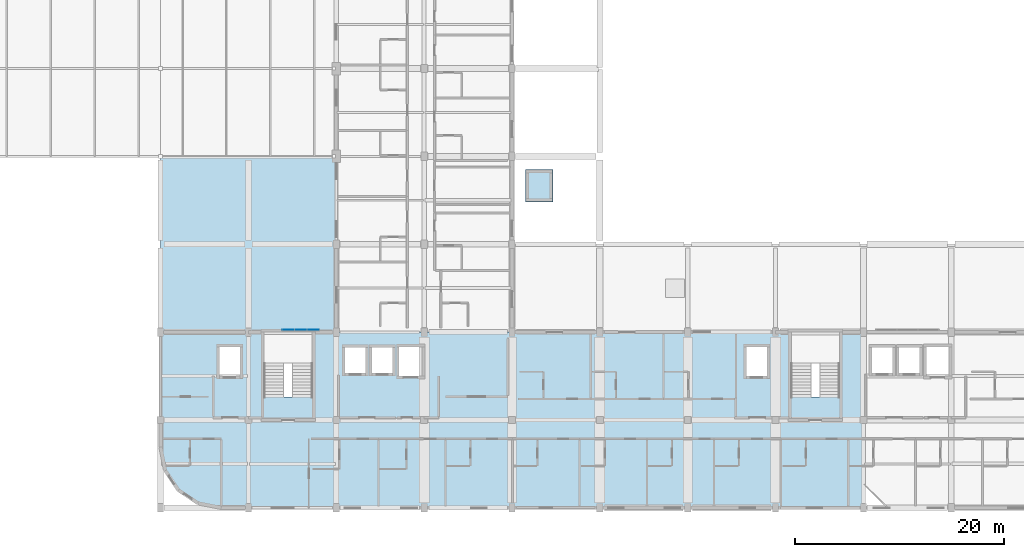
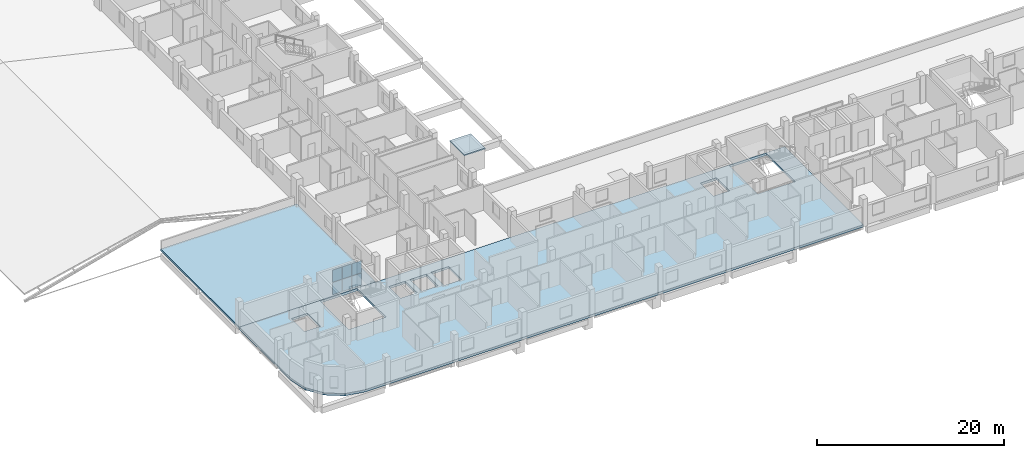
# One storey, part 12 of 42: 6 plates, 3 slabs, 1 element without a shape of its own.
"""IFC4 building model written with IfcOpenShell, lengths in metres."""

from ifc_helpers import new_model, si_unit, derived_unit, direction, frame, origin, origin_2d, place, context, subcontext, project, spatial, polyline, rectangle, outline, extrude, material, layer, layer_set, type_object, element, aggregate, save


model = new_model("IFC4")

# Units and contexts
model_context = context("Model", 3, precision=1e-05, world=origin(), true_north=direction((0.0, 1.0)))
body_context = subcontext(model_context, "Body", "Model", "MODEL_VIEW")
ifc_project = project(units=[si_unit("LENGTHUNIT", "METRE"), si_unit("AREAUNIT", "SQUARE_METRE"), si_unit("VOLUMEUNIT", "CUBIC_METRE"), si_unit("PLANEANGLEUNIT", "RADIAN"), si_unit("MASSUNIT", "GRAM", prefix="KILO"), derived_unit("THERMALTRANSMITTANCEUNIT", [(si_unit("POWERUNIT", "WATT"), 1), (si_unit("LENGTHUNIT", "METRE"), -2), (si_unit("THERMODYNAMICTEMPERATUREUNIT", "KELVIN"), -1)])], contexts=[model_context])

# Site, building, storey
site_placement = place(None, origin())
site = spatial("IfcSite", under=ifc_project, at=site_placement, CompositionType="ELEMENT")
building_placement = place(site_placement, origin())
building = spatial("IfcBuilding", under=site, at=building_placement, Name="Barrovel Congress Hotel", CompositionType="ELEMENT")
storey_placement = place(building_placement, frame((0.0, 0.0, 18.300048828125)))
storey = spatial("IfcBuildingStorey", under=building, at=storey_placement, Name="L04", CompositionType="ELEMENT", Elevation=18.300048828125)

# Curtain wall, plates
ifc_material_1 = material(Name="Anodised Aluminium Alloy 6063-T6", Category="aluminium")
curtain_wall_type = type_object("IfcCurtainWallType", Name="CW-UN-3600x3200", PredefinedType="USERDEFINED", material=ifc_material_1)
curtain_wall_placement = place(storey_placement, origin())
curtain_wall = element("IfcCurtainWall", 1, at=curtain_wall_placement, inside=storey, type_object=curtain_wall_type, Name="CW:L04:UN-3", ObjectType="UNITISED CURTAIN WALL", PredefinedType="USERDEFINED")
ifc_material_2 = material(Name="Double Low-E Insulated Glazing", Category="glass")
ifc_layer_1 = layer(ifc_material_2, 0.031982421875)
ifc_layer_set_1 = layer_set([ifc_layer_1], Name="Double Low-E Insulated Glazing")
plate_type = type_object("IfcPlateType", Name="CWP-32", PredefinedType="CURTAIN_PANEL", material=ifc_layer_set_1)
plate_1_placement = place(storey_placement, frame((29.0, 21.219970703125, 0.030029296875), z_axis=(0.0, 0.0, 1.0), x_axis=(1.0, 0.0, 0.0)))
plate_1 = element("IfcPlate", 2, at=plate_1_placement, type_object=plate_type, Name="CW:L04:UN-3:P0-0", PredefinedType="CURTAIN_PANEL", context=body_context, shape_type="SweptSolid", body=[
    extrude(rectangle(XDim=1.139892578125, YDim=0.031982421875, at=origin_2d()), origin(), (0.0, 0.0, 1.0), 1.56494140625),
])
plate_2_placement = place(storey_placement, frame((29.0, 21.219970703125, 1.655029296875), z_axis=(0.0, 0.0, 1.0), x_axis=(1.0, 0.0, 0.0)))
plate_2 = element("IfcPlate", 3, at=plate_2_placement, type_object=plate_type, Name="CW:L04:UN-3:P0-1", PredefinedType="CURTAIN_PANEL", context=body_context, shape_type="SweptSolid", body=[
    extrude(rectangle(XDim=1.139892578125, YDim=0.031982421875, at=origin_2d()), origin(), (0.0, 0.0, 1.0), 1.56494140625),
])
plate_3_placement = place(storey_placement, frame((30.199951171875, 21.219970703125, 0.030029296875), z_axis=(0.0, 0.0, 1.0), x_axis=(1.0, 0.0, 0.0)))
plate_3 = element("IfcPlate", 4, at=plate_3_placement, type_object=plate_type, Name="CW:L04:UN-3:P1-0", PredefinedType="CURTAIN_PANEL", context=body_context, shape_type="SweptSolid", body=[
    extrude(rectangle(XDim=1.139892578125, YDim=0.031982421875, at=origin_2d()), origin(), (0.0, 0.0, 1.0), 1.56494140625),
])
plate_4_placement = place(storey_placement, frame((30.199951171875, 21.219970703125, 1.655029296875), z_axis=(0.0, 0.0, 1.0), x_axis=(1.0, 0.0, 0.0)))
plate_4 = element("IfcPlate", 5, at=plate_4_placement, type_object=plate_type, Name="CW:L04:UN-3:P1-1", PredefinedType="CURTAIN_PANEL", context=body_context, shape_type="SweptSolid", body=[
    extrude(rectangle(XDim=1.139892578125, YDim=0.031982421875, at=origin_2d()), origin(), (0.0, 0.0, 1.0), 1.56494140625),
])
plate_5_placement = place(storey_placement, frame((31.39990234375, 21.219970703125, 0.030029296875), z_axis=(0.0, 0.0, 1.0), x_axis=(1.0, 0.0, 0.0)))
plate_5 = element("IfcPlate", 6, at=plate_5_placement, type_object=plate_type, Name="CW:L04:UN-3:P2-0", PredefinedType="CURTAIN_PANEL", context=body_context, shape_type="SweptSolid", body=[
    extrude(rectangle(XDim=1.139892578125, YDim=0.031982421875, at=origin_2d()), origin(), (0.0, 0.0, 1.0), 1.56494140625),
])
plate_6_placement = place(storey_placement, frame((31.39990234375, 21.219970703125, 1.655029296875), z_axis=(0.0, 0.0, 1.0), x_axis=(1.0, 0.0, 0.0)))
plate_6 = element("IfcPlate", 7, at=plate_6_placement, type_object=plate_type, Name="CW:L04:UN-3:P2-1", PredefinedType="CURTAIN_PANEL", context=body_context, shape_type="SweptSolid", body=[
    extrude(rectangle(XDim=1.139892578125, YDim=0.031982421875, at=origin_2d()), origin(), (0.0, 0.0, 1.0), 1.56494140625),
])
aggregate(curtain_wall, [plate_1, plate_2, plate_3, plate_4, plate_5, plate_6])

# Slabs
ifc_material_3 = material(Name="Concrete C40", Category="concrete")
ifc_layer_2 = layer(ifc_material_3, 0.300048828125)
ifc_layer_set_2 = layer_set([ifc_layer_2], Name="Concrete C40")
slab_type_1 = type_object("IfcSlabType", Name="SL-F300", PredefinedType="FLOOR", material=ifc_layer_set_2)
slab_1_placement = place(storey_placement, frame((0.0, 0.0, -0.300048828125)))
element("IfcSlab", 8, at=slab_1_placement, inside=storey, type_object=slab_type_1, Name="SLAB:L04:HOT-S1", PredefinedType="FLOOR", context=body_context, shape_type="SweptSolid", body=[
    extrude(outline(polyline([(16.800048828125, 10.0), (17.241455078125, 7.780517578125), (18.498779296875, 5.898681640625), (20.38037109375, 4.6416015625), (22.60009765625, 4.199951171875), (84.0, 4.199951171875), (84.0, 21.0), (16.800048828125, 21.0), (16.800048828125, 10.0)]), holes=[polyline([(26.699951171875, 14.780029296875), (26.699951171875, 20.919921875), (31.300048828125, 20.919921875), (31.300048828125, 14.780029296875), (26.699951171875, 14.780029296875)]), polyline([(77.10009765625, 14.780029296875), (77.10009765625, 20.919921875), (81.699951171875, 20.919921875), (81.699951171875, 14.780029296875), (77.10009765625, 14.780029296875)]), polyline([(22.39990234375, 16.800048828125), (22.39990234375, 19.60009765625), (24.39990234375, 19.60009765625), (24.39990234375, 16.800048828125), (22.39990234375, 16.800048828125)]), polyline([(72.800048828125, 16.800048828125), (72.800048828125, 19.60009765625), (74.800048828125, 19.60009765625), (74.800048828125, 16.800048828125), (72.800048828125, 16.800048828125)]), polyline([(34.39990234375, 17.050048828125), (34.39990234375, 19.550048828125), (36.39990234375, 19.550048828125), (36.39990234375, 17.050048828125), (34.39990234375, 17.050048828125)]), polyline([(37.0, 17.050048828125), (37.0, 19.550048828125), (39.0, 19.550048828125), (39.0, 17.050048828125), (37.0, 17.050048828125)]), polyline([(39.60009765625, 16.800048828125), (39.60009765625, 19.60009765625), (41.800048828125, 19.60009765625), (41.800048828125, 16.800048828125), (39.60009765625, 16.800048828125)])]), origin(), (0.0, 0.0, 1.0), 0.300048828125),
])
ifc_material_4 = material(Name="Concrete C35", Category="concrete")
ifc_layer_3 = layer(ifc_material_4, 0.139892578125)
ifc_layer_set_3 = layer_set([ifc_layer_3], Name="Concrete C35")
slab_type_2 = type_object("IfcSlabType", Name="SL-R140", PredefinedType="ROOF", material=ifc_layer_set_3)
slab_2_placement = place(storey_placement, frame((0.0, 0.0, 2.510009765625)))
element("IfcSlab", 9, at=slab_2_placement, inside=storey, type_object=slab_type_2, Name="Lift Overrun Roof CL-1", PredefinedType="ROOF", context=body_context, shape_type="SweptSolid", body=[
    extrude(outline(polyline([(51.699951171875, 33.449951171875), (54.300048828125, 33.449951171875), (54.300048828125, 36.550048828125), (51.699951171875, 36.550048828125), (51.699951171875, 33.449951171875)])), origin(), (0.0, 0.0, 1.0), 0.139892578125),
])
ifc_layer_4 = layer(ifc_material_4, 0.239990234375)
ifc_layer_set_4 = layer_set([ifc_layer_4], Name="Concrete C35")
slab_type_3 = type_object("IfcSlabType", Name="SL-R240", PredefinedType="ROOF", material=ifc_layer_set_4)
slab_3_placement = place(storey_placement, frame((0.0, 0.0, -0.239990234375)))
element("IfcSlab", 10, at=slab_3_placement, inside=storey, type_object=slab_type_3, Name="SLAB:L04:POD-ROOF-1", PredefinedType="ROOF", context=body_context, shape_type="SweptSolid", body=[
    extrude(outline(polyline([(16.800048828125, 21.0), (33.60009765625, 21.0), (33.60009765625, 37.800048828125), (16.800048828125, 37.800048828125), (16.800048828125, 21.0)])), origin(), (0.0, 0.0, 1.0), 0.239990234375),
])

save(model, "model.ifc")
